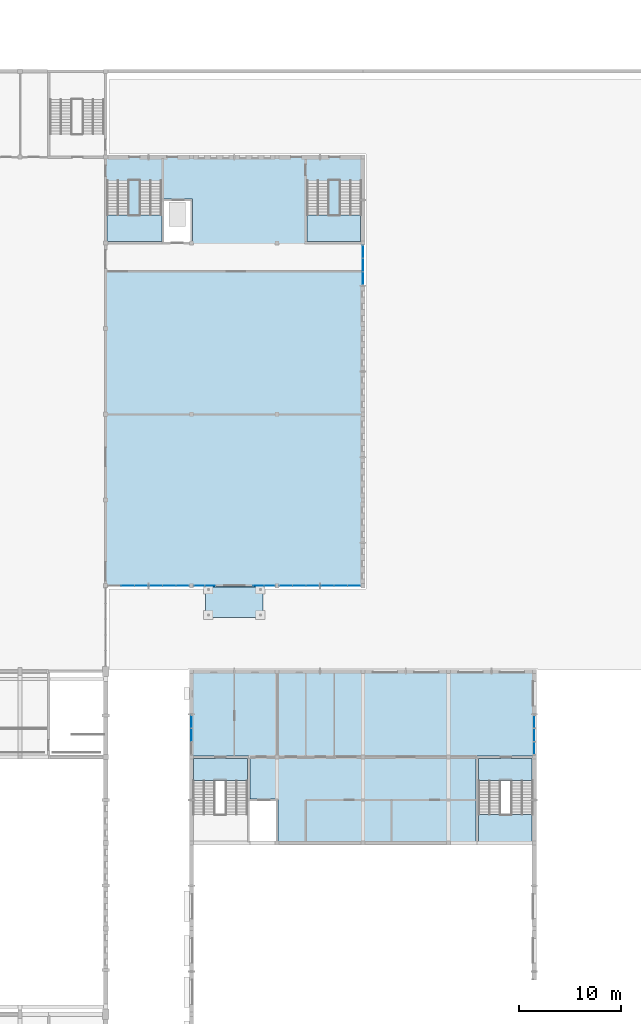
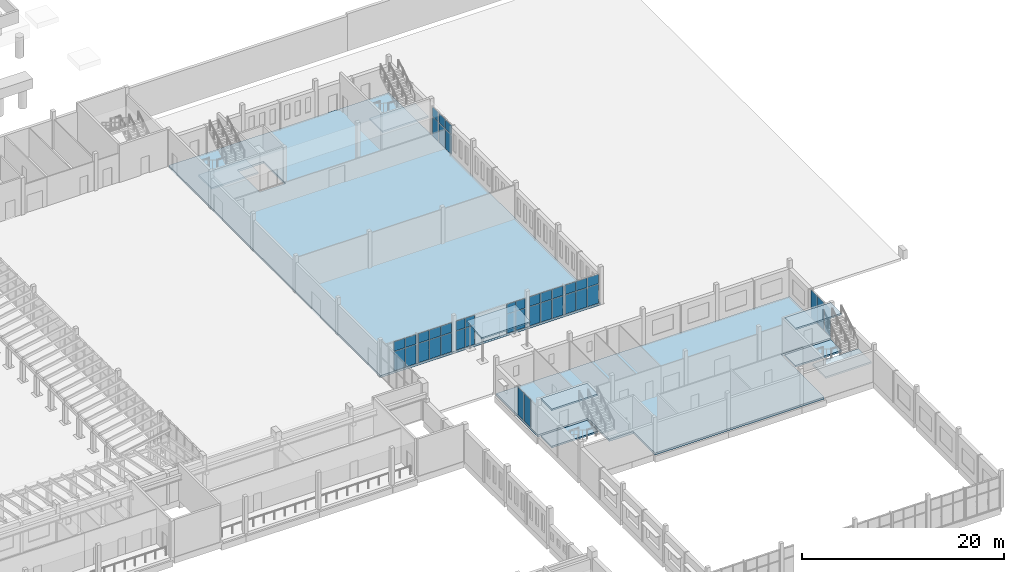
# One storey, part 31 of 60: 41 plates, 10 slabs, 13 elements without a shape of their own.
"""IFC4 building model written with IfcOpenShell, lengths in metres."""

from ifc_helpers import new_model, si_unit, direction, frame, origin, origin_2d, place, context, subcontext, project, spatial, polyline, rectangle, outline, extrude, material, layer, layer_set, type_object, element, aggregate, save


model = new_model("IFC4")

# Units and contexts
model_context = context("Model", 3, precision=1e-05, world=origin(), true_north=direction((0.0, 1.0)))
body_context = subcontext(model_context, "Body", "Model", "MODEL_VIEW")
ifc_project = project(units=[si_unit("LENGTHUNIT", "METRE"), si_unit("AREAUNIT", "SQUARE_METRE"), si_unit("VOLUMEUNIT", "CUBIC_METRE"), si_unit("PLANEANGLEUNIT", "RADIAN"), si_unit("MASSUNIT", "GRAM", prefix="KILO")], contexts=[model_context])

# Site, building, storey
site_placement = place(None, origin())
site = spatial("IfcSite", under=ifc_project, at=site_placement, CompositionType="ELEMENT")
building_placement = place(site_placement, origin())
building = spatial("IfcBuilding", under=site, at=building_placement, Name="Fescue Hill Polytechnic", CompositionType="ELEMENT")
storey_placement = place(building_placement, frame((0.0, 0.0, 4.5)))
storey = spatial("IfcBuildingStorey", under=building, at=storey_placement, Name="L01", CompositionType="ELEMENT", Elevation=4.5)

# Slabs
ifc_material_1 = material(Name="Concrete 35 MPa", Category="concrete")
ifc_layer_1 = layer(ifc_material_1, 0.25)
ifc_layer_set_1 = layer_set([ifc_layer_1], Name="Concrete 35 MPa")
slab_type_1 = type_object("IfcSlabType", Name="Base slab 250", PredefinedType="BASESLAB", material=ifc_layer_set_1)
slab_1_placement = place(storey_placement, frame((0.0, 0.0, -0.25)))
element("IfcSlab", 1, at=slab_1_placement, inside=storey, type_object=slab_type_1, Name="SL-L01-V2-1", PredefinedType="BASESLAB", context=body_context, shape_type="SweptSolid", body=[
    extrude(outline(polyline([(117.60009765625, 58.800048828125), (117.60009765625, 100.800048828125), (142.800048828125, 100.800048828125), (142.800048828125, 58.800048828125), (117.60009765625, 58.800048828125)]), holes=[polyline([(126.10009765625, 96.699951171875), (123.10009765625, 96.699951171875), (123.10009765625, 92.300048828125), (126.10009765625, 92.300048828125), (126.10009765625, 96.699951171875)])]), origin(), (0.0, 0.0, 1.0), 0.25),
])
ifc_layer_2 = layer(ifc_material_1, 0.199951171875)
ifc_layer_set_2 = layer_set([ifc_layer_2], Name="Concrete 35 MPa")
slab_type_2 = type_object("IfcSlabType", Name="Entrance canopy slab 200", PredefinedType="ROOF", material=ifc_layer_set_2)
slab_2_placement = place(storey_placement, frame((127.39990234375, 58.68994140625, 3.300048828125), z_axis=(0.0, -0.083045479854, 0.996545758245), x_axis=(1.0, 0.0, 0.0)))
element("IfcSlab", 2, at=slab_2_placement, inside=storey, type_object=slab_type_2, Name="Entrance canopy V2", PredefinedType="ROOF", context=body_context, shape_type="SweptSolid", body=[
    extrude(outline(polyline([(0.0, 0.0), (5.60009765625, 0.0), (5.60009765625, -3.010398644698074), (0.0, -3.010398644698074), (0.0, 0.0)])), origin(), (0.0, 0.0, -1.0), 0.199951171875),
])
ifc_layer_3 = layer(ifc_material_1, 0.25)
ifc_layer_set_3 = layer_set([ifc_layer_3], Name="Concrete 35 MPa")
slab_type_3 = type_object("IfcSlabType", Name="Floor slab 250", PredefinedType="FLOOR", material=ifc_layer_set_3)
slab_3_placement = place(storey_placement, frame((0.0, 0.0, -0.25)))
element("IfcSlab", 3, at=slab_3_placement, inside=storey, type_object=slab_type_3, Name="SL-L01-V3-1", PredefinedType="FLOOR", context=body_context, shape_type="SweptSolid", body=[
    extrude(outline(polyline([(159.60009765625, 50.39990234375), (159.60009765625, 42.125), (153.875, 42.125), (153.875, 33.60009765625), (134.5, 33.60009765625), (134.5, 37.89990234375), (131.72509765625, 37.89990234375), (131.72509765625, 42.125), (126.0, 42.125), (126.0, 50.39990234375), (159.60009765625, 50.39990234375)])), origin(), (0.0, 0.0, 1.0), 0.25),
])

# Curtain wall, plates
ifc_material_2 = material(Name="Glass", Category="glass")
curtain_wall_type = type_object("IfcCurtainWallType", Name="Curtain wall structural glazing", PredefinedType="NOTDEFINED", material=ifc_material_2)
curtain_wall_1_placement = place(storey_placement, origin())
curtain_wall_1 = element("IfcCurtainWall", 4, at=curtain_wall_1_placement, inside=storey, type_object=curtain_wall_type, Name="CW-L01-V2-1", PredefinedType="NOTDEFINED")
ifc_layer_4 = layer(ifc_material_2, 0.028076171875)
ifc_layer_set_4 = layer_set([ifc_layer_4], Name="Glass")
plate_type = type_object("IfcPlateType", Name="Panel glazing 28", PredefinedType="CURTAIN_PANEL", material=ifc_layer_set_4)
plate_1_placement = place(storey_placement, frame((119.77001953125, 58.800048828125, 0.06005859375), z_axis=(0.0, 0.0, 1.0), x_axis=(1.0, 0.0, 0.0)))
plate_1 = element("IfcPlate", 5, at=plate_1_placement, type_object=plate_type, Name="CW41 panel 2.1", PredefinedType="CURTAIN_PANEL", context=body_context, shape_type="SweptSolid", body=[
    extrude(rectangle(XDim=1.25341796875, YDim=0.028076171875, at=origin_2d()), origin(), (0.0, 0.0, 1.0), 2.31005859375),
])
plate_2_placement = place(storey_placement, frame((119.77001953125, 58.800048828125, 2.43017578125), z_axis=(0.0, 0.0, 1.0), x_axis=(1.0, 0.0, 0.0)))
plate_2 = element("IfcPlate", 6, at=plate_2_placement, type_object=plate_type, Name="CW41 panel 2.2", PredefinedType="CURTAIN_PANEL", context=body_context, shape_type="SweptSolid", body=[
    extrude(rectangle(XDim=1.25341796875, YDim=0.028076171875, at=origin_2d()), origin(), (0.0, 0.0, 1.0), 1.139892578125),
])
plate_3_placement = place(storey_placement, frame((121.068359375, 58.800048828125, 0.06005859375), z_axis=(0.0, 0.0, 1.0), x_axis=(1.0, 0.0, 0.0)))
plate_3 = element("IfcPlate", 7, at=plate_3_placement, type_object=plate_type, Name="CW41 panel 3.1", PredefinedType="CURTAIN_PANEL", context=body_context, shape_type="SweptSolid", body=[
    extrude(rectangle(XDim=1.223388671875, YDim=0.028076171875, at=origin_2d()), origin(), (0.0, 0.0, 1.0), 2.31005859375),
])
plate_4_placement = place(storey_placement, frame((121.068359375, 58.800048828125, 2.43017578125), z_axis=(0.0, 0.0, 1.0), x_axis=(1.0, 0.0, 0.0)))
plate_4 = element("IfcPlate", 8, at=plate_4_placement, type_object=plate_type, Name="CW41 panel 3.2", PredefinedType="CURTAIN_PANEL", context=body_context, shape_type="SweptSolid", body=[
    extrude(rectangle(XDim=1.223388671875, YDim=0.028076171875, at=origin_2d()), origin(), (0.0, 0.0, 1.0), 1.139892578125),
])
aggregate(curtain_wall_1, [plate_1, plate_2, plate_3, plate_4])

curtain_wall_2_placement = place(storey_placement, origin())
curtain_wall_2 = element("IfcCurtainWall", 9, at=curtain_wall_2_placement, inside=storey, type_object=curtain_wall_type, Name="CW-L01-V2-2", PredefinedType="NOTDEFINED")
plate_5_placement = place(storey_placement, frame((122.53173828125, 58.800048828125, 0.06005859375), z_axis=(0.0, 0.0, 1.0), x_axis=(1.0, 0.0, 0.0)))
plate_5 = element("IfcPlate", 10, at=plate_5_placement, type_object=plate_type, Name="CW42 panel 1.1", PredefinedType="CURTAIN_PANEL", context=body_context, shape_type="SweptSolid", body=[
    extrude(rectangle(XDim=1.223388671875, YDim=0.028076171875, at=origin_2d()), origin(), (0.0, 0.0, 1.0), 2.31005859375),
])
plate_6_placement = place(storey_placement, frame((122.53173828125, 58.800048828125, 2.43017578125), z_axis=(0.0, 0.0, 1.0), x_axis=(1.0, 0.0, 0.0)))
plate_6 = element("IfcPlate", 11, at=plate_6_placement, type_object=plate_type, Name="CW42 panel 1.2", PredefinedType="CURTAIN_PANEL", context=body_context, shape_type="SweptSolid", body=[
    extrude(rectangle(XDim=1.223388671875, YDim=0.028076171875, at=origin_2d()), origin(), (0.0, 0.0, 1.0), 1.139892578125),
])
plate_7_placement = place(storey_placement, frame((123.830078125, 58.800048828125, 0.06005859375), z_axis=(0.0, 0.0, 1.0), x_axis=(1.0, 0.0, 0.0)))
plate_7 = element("IfcPlate", 12, at=plate_7_placement, type_object=plate_type, Name="CW42 panel 2.1", PredefinedType="CURTAIN_PANEL", context=body_context, shape_type="SweptSolid", body=[
    extrude(rectangle(XDim=1.25341796875, YDim=0.028076171875, at=origin_2d()), origin(), (0.0, 0.0, 1.0), 2.31005859375),
])
plate_8_placement = place(storey_placement, frame((123.830078125, 58.800048828125, 2.43017578125), z_axis=(0.0, 0.0, 1.0), x_axis=(1.0, 0.0, 0.0)))
plate_8 = element("IfcPlate", 13, at=plate_8_placement, type_object=plate_type, Name="CW42 panel 2.2", PredefinedType="CURTAIN_PANEL", context=body_context, shape_type="SweptSolid", body=[
    extrude(rectangle(XDim=1.25341796875, YDim=0.028076171875, at=origin_2d()), origin(), (0.0, 0.0, 1.0), 1.139892578125),
])
plate_9_placement = place(storey_placement, frame((125.12841796875, 58.800048828125, 0.06005859375), z_axis=(0.0, 0.0, 1.0), x_axis=(1.0, 0.0, 0.0)))
plate_9 = element("IfcPlate", 14, at=plate_9_placement, type_object=plate_type, Name="CW42 panel 3.1", PredefinedType="CURTAIN_PANEL", context=body_context, shape_type="SweptSolid", body=[
    extrude(rectangle(XDim=1.223388671875, YDim=0.028076171875, at=origin_2d()), origin(), (0.0, 0.0, 1.0), 2.31005859375),
])
plate_10_placement = place(storey_placement, frame((125.12841796875, 58.800048828125, 2.43017578125), z_axis=(0.0, 0.0, 1.0), x_axis=(1.0, 0.0, 0.0)))
plate_10 = element("IfcPlate", 15, at=plate_10_placement, type_object=plate_type, Name="CW42 panel 3.2", PredefinedType="CURTAIN_PANEL", context=body_context, shape_type="SweptSolid", body=[
    extrude(rectangle(XDim=1.223388671875, YDim=0.028076171875, at=origin_2d()), origin(), (0.0, 0.0, 1.0), 1.139892578125),
])
aggregate(curtain_wall_2, [plate_5, plate_6, plate_7, plate_8, plate_9, plate_10])

curtain_wall_3_placement = place(storey_placement, origin())
curtain_wall_3 = element("IfcCurtainWall", 16, at=curtain_wall_3_placement, inside=storey, type_object=curtain_wall_type, Name="CW-L01-V2-3", PredefinedType="NOTDEFINED")
plate_11_placement = place(storey_placement, frame((126.764892578125, 58.800048828125, 0.06005859375), z_axis=(0.0, 0.0, 1.0), x_axis=(1.0, 0.0, 0.0)))
plate_11 = element("IfcPlate", 17, at=plate_11_placement, type_object=plate_type, Name="CW43 panel 1.1", PredefinedType="CURTAIN_PANEL", context=body_context, shape_type="SweptSolid", body=[
    extrude(rectangle(XDim=1.010009765625, YDim=0.028076171875, at=origin_2d()), origin(), (0.0, 0.0, 1.0), 2.31005859375),
])
plate_12_placement = place(storey_placement, frame((126.764892578125, 58.800048828125, 2.43017578125), z_axis=(0.0, 0.0, 1.0), x_axis=(1.0, 0.0, 0.0)))
plate_12 = element("IfcPlate", 18, at=plate_12_placement, type_object=plate_type, Name="CW43 panel 1.2", PredefinedType="CURTAIN_PANEL", context=body_context, shape_type="SweptSolid", body=[
    extrude(rectangle(XDim=1.010009765625, YDim=0.028076171875, at=origin_2d()), origin(), (0.0, 0.0, 1.0), 1.139892578125),
])
plate_13_placement = place(storey_placement, frame((127.8349609375, 58.800048828125, 0.06005859375), z_axis=(0.0, 0.0, 1.0), x_axis=(1.0, 0.0, 0.0)))
plate_13 = element("IfcPlate", 19, at=plate_13_placement, type_object=plate_type, Name="CW43 panel 2.1", PredefinedType="CURTAIN_PANEL", context=body_context, shape_type="SweptSolid", body=[
    extrude(rectangle(XDim=1.010009765625, YDim=0.028076171875, at=origin_2d()), origin(), (0.0, 0.0, 1.0), 2.31005859375),
])
plate_14_placement = place(storey_placement, frame((127.8349609375, 58.800048828125, 2.43017578125), z_axis=(0.0, 0.0, 1.0), x_axis=(1.0, 0.0, 0.0)))
plate_14 = element("IfcPlate", 20, at=plate_14_placement, type_object=plate_type, Name="CW43 panel 2.2", PredefinedType="CURTAIN_PANEL", context=body_context, shape_type="SweptSolid", body=[
    extrude(rectangle(XDim=1.010009765625, YDim=0.028076171875, at=origin_2d()), origin(), (0.0, 0.0, 1.0), 1.139892578125),
])
aggregate(curtain_wall_3, [plate_11, plate_12, plate_13, plate_14])

curtain_wall_4_placement = place(storey_placement, origin())
curtain_wall_4 = element("IfcCurtainWall", 21, at=curtain_wall_4_placement, inside=storey, type_object=curtain_wall_type, Name="CW-L01-V2-4", PredefinedType="NOTDEFINED")
plate_15_placement = place(storey_placement, frame((132.56494140625, 58.800048828125, 0.06005859375), z_axis=(0.0, 0.0, 1.0), x_axis=(1.0, 0.0, 0.0)))
plate_15 = element("IfcPlate", 22, at=plate_15_placement, type_object=plate_type, Name="CW44 panel 1.1", PredefinedType="CURTAIN_PANEL", context=body_context, shape_type="SweptSolid", body=[
    extrude(rectangle(XDim=1.010009765625, YDim=0.028076171875, at=origin_2d()), origin(), (0.0, 0.0, 1.0), 2.31005859375),
])
plate_16_placement = place(storey_placement, frame((132.56494140625, 58.800048828125, 2.43017578125), z_axis=(0.0, 0.0, 1.0), x_axis=(1.0, 0.0, 0.0)))
plate_16 = element("IfcPlate", 23, at=plate_16_placement, type_object=plate_type, Name="CW44 panel 1.2", PredefinedType="CURTAIN_PANEL", context=body_context, shape_type="SweptSolid", body=[
    extrude(rectangle(XDim=1.010009765625, YDim=0.028076171875, at=origin_2d()), origin(), (0.0, 0.0, 1.0), 1.139892578125),
])
plate_17_placement = place(storey_placement, frame((133.635009765625, 58.800048828125, 0.06005859375), z_axis=(0.0, 0.0, 1.0), x_axis=(1.0, 0.0, 0.0)))
plate_17 = element("IfcPlate", 24, at=plate_17_placement, type_object=plate_type, Name="CW44 panel 2.1", PredefinedType="CURTAIN_PANEL", context=body_context, shape_type="SweptSolid", body=[
    extrude(rectangle(XDim=1.010009765625, YDim=0.028076171875, at=origin_2d()), origin(), (0.0, 0.0, 1.0), 2.31005859375),
])
plate_18_placement = place(storey_placement, frame((133.635009765625, 58.800048828125, 2.43017578125), z_axis=(0.0, 0.0, 1.0), x_axis=(1.0, 0.0, 0.0)))
plate_18 = element("IfcPlate", 25, at=plate_18_placement, type_object=plate_type, Name="CW44 panel 2.2", PredefinedType="CURTAIN_PANEL", context=body_context, shape_type="SweptSolid", body=[
    extrude(rectangle(XDim=1.010009765625, YDim=0.028076171875, at=origin_2d()), origin(), (0.0, 0.0, 1.0), 1.139892578125),
])
aggregate(curtain_wall_4, [plate_15, plate_16, plate_17, plate_18])

curtain_wall_5_placement = place(storey_placement, origin())
curtain_wall_5 = element("IfcCurtainWall", 26, at=curtain_wall_5_placement, inside=storey, type_object=curtain_wall_type, Name="CW-L01-V2-5", PredefinedType="NOTDEFINED")
plate_19_placement = place(storey_placement, frame((135.271728515625, 58.800048828125, 0.06005859375), z_axis=(0.0, 0.0, 1.0), x_axis=(1.0, 0.0, 0.0)))
plate_19 = element("IfcPlate", 27, at=plate_19_placement, type_object=plate_type, Name="CW45 panel 1.1", PredefinedType="CURTAIN_PANEL", context=body_context, shape_type="SweptSolid", body=[
    extrude(rectangle(XDim=1.223388671875, YDim=0.028076171875, at=origin_2d()), origin(), (0.0, 0.0, 1.0), 2.31005859375),
])
plate_20_placement = place(storey_placement, frame((135.271728515625, 58.800048828125, 2.43017578125), z_axis=(0.0, 0.0, 1.0), x_axis=(1.0, 0.0, 0.0)))
plate_20 = element("IfcPlate", 28, at=plate_20_placement, type_object=plate_type, Name="CW45 panel 1.2", PredefinedType="CURTAIN_PANEL", context=body_context, shape_type="SweptSolid", body=[
    extrude(rectangle(XDim=1.223388671875, YDim=0.028076171875, at=origin_2d()), origin(), (0.0, 0.0, 1.0), 1.139892578125),
])
plate_21_placement = place(storey_placement, frame((136.570068359375, 58.800048828125, 0.06005859375), z_axis=(0.0, 0.0, 1.0), x_axis=(1.0, 0.0, 0.0)))
plate_21 = element("IfcPlate", 29, at=plate_21_placement, type_object=plate_type, Name="CW45 panel 2.1", PredefinedType="CURTAIN_PANEL", context=body_context, shape_type="SweptSolid", body=[
    extrude(rectangle(XDim=1.25341796875, YDim=0.028076171875, at=origin_2d()), origin(), (0.0, 0.0, 1.0), 2.31005859375),
])
plate_22_placement = place(storey_placement, frame((136.570068359375, 58.800048828125, 2.43017578125), z_axis=(0.0, 0.0, 1.0), x_axis=(1.0, 0.0, 0.0)))
plate_22 = element("IfcPlate", 30, at=plate_22_placement, type_object=plate_type, Name="CW45 panel 2.2", PredefinedType="CURTAIN_PANEL", context=body_context, shape_type="SweptSolid", body=[
    extrude(rectangle(XDim=1.25341796875, YDim=0.028076171875, at=origin_2d()), origin(), (0.0, 0.0, 1.0), 1.139892578125),
])
plate_23_placement = place(storey_placement, frame((137.868408203125, 58.800048828125, 0.06005859375), z_axis=(0.0, 0.0, 1.0), x_axis=(1.0, 0.0, 0.0)))
plate_23 = element("IfcPlate", 31, at=plate_23_placement, type_object=plate_type, Name="CW45 panel 3.1", PredefinedType="CURTAIN_PANEL", context=body_context, shape_type="SweptSolid", body=[
    extrude(rectangle(XDim=1.223388671875, YDim=0.028076171875, at=origin_2d()), origin(), (0.0, 0.0, 1.0), 2.31005859375),
])
plate_24_placement = place(storey_placement, frame((137.868408203125, 58.800048828125, 2.43017578125), z_axis=(0.0, 0.0, 1.0), x_axis=(1.0, 0.0, 0.0)))
plate_24 = element("IfcPlate", 32, at=plate_24_placement, type_object=plate_type, Name="CW45 panel 3.2", PredefinedType="CURTAIN_PANEL", context=body_context, shape_type="SweptSolid", body=[
    extrude(rectangle(XDim=1.223388671875, YDim=0.028076171875, at=origin_2d()), origin(), (0.0, 0.0, 1.0), 1.139892578125),
])
aggregate(curtain_wall_5, [plate_19, plate_20, plate_21, plate_22, plate_23, plate_24])

curtain_wall_6_placement = place(storey_placement, origin())
curtain_wall_6 = element("IfcCurtainWall", 33, at=curtain_wall_6_placement, inside=storey, type_object=curtain_wall_type, Name="CW-L01-V2-6", PredefinedType="NOTDEFINED")
plate_25_placement = place(storey_placement, frame((139.331787109375, 58.800048828125, 0.06005859375), z_axis=(0.0, 0.0, 1.0), x_axis=(1.0, 0.0, 0.0)))
plate_25 = element("IfcPlate", 34, at=plate_25_placement, type_object=plate_type, Name="CW46 panel 1.1", PredefinedType="CURTAIN_PANEL", context=body_context, shape_type="SweptSolid", body=[
    extrude(rectangle(XDim=1.223388671875, YDim=0.028076171875, at=origin_2d()), origin(), (0.0, 0.0, 1.0), 2.31005859375),
])
plate_26_placement = place(storey_placement, frame((139.331787109375, 58.800048828125, 2.43017578125), z_axis=(0.0, 0.0, 1.0), x_axis=(1.0, 0.0, 0.0)))
plate_26 = element("IfcPlate", 35, at=plate_26_placement, type_object=plate_type, Name="CW46 panel 1.2", PredefinedType="CURTAIN_PANEL", context=body_context, shape_type="SweptSolid", body=[
    extrude(rectangle(XDim=1.223388671875, YDim=0.028076171875, at=origin_2d()), origin(), (0.0, 0.0, 1.0), 1.139892578125),
])
plate_27_placement = place(storey_placement, frame((140.6298828125, 58.800048828125, 0.06005859375), z_axis=(0.0, 0.0, 1.0), x_axis=(1.0, 0.0, 0.0)))
plate_27 = element("IfcPlate", 36, at=plate_27_placement, type_object=plate_type, Name="CW46 panel 2.1", PredefinedType="CURTAIN_PANEL", context=body_context, shape_type="SweptSolid", body=[
    extrude(rectangle(XDim=1.25341796875, YDim=0.028076171875, at=origin_2d()), origin(), (0.0, 0.0, 1.0), 2.31005859375),
])
plate_28_placement = place(storey_placement, frame((140.6298828125, 58.800048828125, 2.43017578125), z_axis=(0.0, 0.0, 1.0), x_axis=(1.0, 0.0, 0.0)))
plate_28 = element("IfcPlate", 37, at=plate_28_placement, type_object=plate_type, Name="CW46 panel 2.2", PredefinedType="CURTAIN_PANEL", context=body_context, shape_type="SweptSolid", body=[
    extrude(rectangle(XDim=1.25341796875, YDim=0.028076171875, at=origin_2d()), origin(), (0.0, 0.0, 1.0), 1.139892578125),
])
plate_29_placement = place(storey_placement, frame((141.92822265625, 58.800048828125, 0.06005859375), z_axis=(0.0, 0.0, 1.0), x_axis=(1.0, 0.0, 0.0)))
plate_29 = element("IfcPlate", 38, at=plate_29_placement, type_object=plate_type, Name="CW46 panel 3.1", PredefinedType="CURTAIN_PANEL", context=body_context, shape_type="SweptSolid", body=[
    extrude(rectangle(XDim=1.223388671875, YDim=0.028076171875, at=origin_2d()), origin(), (0.0, 0.0, 1.0), 2.31005859375),
])
plate_30_placement = place(storey_placement, frame((141.92822265625, 58.800048828125, 2.43017578125), z_axis=(0.0, 0.0, 1.0), x_axis=(1.0, 0.0, 0.0)))
plate_30 = element("IfcPlate", 39, at=plate_30_placement, type_object=plate_type, Name="CW46 panel 3.2", PredefinedType="CURTAIN_PANEL", context=body_context, shape_type="SweptSolid", body=[
    extrude(rectangle(XDim=1.223388671875, YDim=0.028076171875, at=origin_2d()), origin(), (0.0, 0.0, 1.0), 1.139892578125),
])
aggregate(curtain_wall_6, [plate_25, plate_26, plate_27, plate_28, plate_29, plate_30])

curtain_wall_7_placement = place(storey_placement, origin())
curtain_wall_7 = element("IfcCurtainWall", 40, at=curtain_wall_7_placement, inside=storey, type_object=curtain_wall_type, Name="CW-L01-V3-X1", PredefinedType="NOTDEFINED")
plate_31_placement = place(storey_placement, frame((126.0, 45.46826171875, 0.06005859375), z_axis=(0.0, 0.0, 1.0), x_axis=(0.0, -1.0, 0.0)))
plate_31 = element("IfcPlate", 41, at=plate_31_placement, type_object=plate_type, Name="CW116 panel 1.1", PredefinedType="CURTAIN_PANEL", context=body_context, shape_type="SweptSolid", body=[
    extrude(rectangle(XDim=1.223388671875, YDim=0.028076171875, at=origin_2d()), origin(), (0.0, 0.0, 1.0), 3.360107421875),
])
plate_32_placement = place(storey_placement, frame((126.0, 44.169921875, 0.06005859375), z_axis=(0.0, 0.0, 1.0), x_axis=(0.0, -1.0, 0.0)))
plate_32 = element("IfcPlate", 42, at=plate_32_placement, type_object=plate_type, Name="CW116 panel 2.1", PredefinedType="CURTAIN_PANEL", context=body_context, shape_type="SweptSolid", body=[
    extrude(rectangle(XDim=1.25341796875, YDim=0.028076171875, at=origin_2d()), origin(), (0.0, 0.0, 1.0), 3.360107421875),
])
aggregate(curtain_wall_7, [plate_31, plate_32])

curtain_wall_8_placement = place(storey_placement, origin())
curtain_wall_8 = element("IfcCurtainWall", 43, at=curtain_wall_8_placement, inside=storey, type_object=curtain_wall_type, Name="CW-L01-V3-X2", PredefinedType="NOTDEFINED")
plate_33_placement = place(storey_placement, frame((159.60009765625, 42.87158203125, 0.06005859375), z_axis=(0.0, 0.0, 1.0), x_axis=(0.0, 1.0, 0.0)))
plate_33 = element("IfcPlate", 44, at=plate_33_placement, type_object=plate_type, Name="CW118 panel 1.1", PredefinedType="CURTAIN_PANEL", context=body_context, shape_type="SweptSolid", body=[
    extrude(rectangle(XDim=1.223388671875, YDim=0.028076171875, at=origin_2d()), origin(), (0.0, 0.0, 1.0), 3.360107421875),
])
plate_34_placement = place(storey_placement, frame((159.60009765625, 44.169921875, 0.06005859375), z_axis=(0.0, 0.0, 1.0), x_axis=(0.0, 1.0, 0.0)))
plate_34 = element("IfcPlate", 45, at=plate_34_placement, type_object=plate_type, Name="CW118 panel 2.1", PredefinedType="CURTAIN_PANEL", context=body_context, shape_type="SweptSolid", body=[
    extrude(rectangle(XDim=1.25341796875, YDim=0.028076171875, at=origin_2d()), origin(), (0.0, 0.0, 1.0), 3.360107421875),
])
plate_35_placement = place(storey_placement, frame((159.60009765625, 45.46826171875, 0.06005859375), z_axis=(0.0, 0.0, 1.0), x_axis=(0.0, 1.0, 0.0)))
plate_35 = element("IfcPlate", 46, at=plate_35_placement, type_object=plate_type, Name="CW118 panel 3.1", PredefinedType="CURTAIN_PANEL", context=body_context, shape_type="SweptSolid", body=[
    extrude(rectangle(XDim=1.223388671875, YDim=0.028076171875, at=origin_2d()), origin(), (0.0, 0.0, 1.0), 3.360107421875),
])
aggregate(curtain_wall_8, [plate_33, plate_34, plate_35])

curtain_wall_9_placement = place(storey_placement, origin())
curtain_wall_9 = element("IfcCurtainWall", 47, at=curtain_wall_9_placement, inside=storey, type_object=curtain_wall_type, Name="CW-L01-V2-X1", PredefinedType="NOTDEFINED")
plate_36_placement = place(storey_placement, frame((142.800048828125, 88.931640625, 0.06005859375), z_axis=(0.0, 0.0, 1.0), x_axis=(0.0, 1.0, 0.0)))
plate_36 = element("IfcPlate", 48, at=plate_36_placement, type_object=plate_type, Name="CW120 panel 1.1", PredefinedType="CURTAIN_PANEL", context=body_context, shape_type="SweptSolid", body=[
    extrude(rectangle(XDim=1.223388671875, YDim=0.028076171875, at=origin_2d()), origin(), (0.0, 0.0, 1.0), 2.31005859375),
])
plate_37_placement = place(storey_placement, frame((142.800048828125, 88.931640625, 2.43017578125), z_axis=(0.0, 0.0, 1.0), x_axis=(0.0, 1.0, 0.0)))
plate_37 = element("IfcPlate", 49, at=plate_37_placement, type_object=plate_type, Name="CW120 panel 1.2", PredefinedType="CURTAIN_PANEL", context=body_context, shape_type="SweptSolid", body=[
    extrude(rectangle(XDim=1.223388671875, YDim=0.028076171875, at=origin_2d()), origin(), (0.0, 0.0, 1.0), 1.139892578125),
])
plate_38_placement = place(storey_placement, frame((142.800048828125, 90.22998046875, 0.06005859375), z_axis=(0.0, 0.0, 1.0), x_axis=(0.0, 1.0, 0.0)))
plate_38 = element("IfcPlate", 50, at=plate_38_placement, type_object=plate_type, Name="CW120 panel 2.1", PredefinedType="CURTAIN_PANEL", context=body_context, shape_type="SweptSolid", body=[
    extrude(rectangle(XDim=1.25341796875, YDim=0.028076171875, at=origin_2d()), origin(), (0.0, 0.0, 1.0), 2.31005859375),
])
plate_39_placement = place(storey_placement, frame((142.800048828125, 90.22998046875, 2.43017578125), z_axis=(0.0, 0.0, 1.0), x_axis=(0.0, 1.0, 0.0)))
plate_39 = element("IfcPlate", 51, at=plate_39_placement, type_object=plate_type, Name="CW120 panel 2.2", PredefinedType="CURTAIN_PANEL", context=body_context, shape_type="SweptSolid", body=[
    extrude(rectangle(XDim=1.25341796875, YDim=0.028076171875, at=origin_2d()), origin(), (0.0, 0.0, 1.0), 1.139892578125),
])
plate_40_placement = place(storey_placement, frame((142.800048828125, 91.5283203125, 0.06005859375), z_axis=(0.0, 0.0, 1.0), x_axis=(0.0, 1.0, 0.0)))
plate_40 = element("IfcPlate", 52, at=plate_40_placement, type_object=plate_type, Name="CW120 panel 3.1", PredefinedType="CURTAIN_PANEL", context=body_context, shape_type="SweptSolid", body=[
    extrude(rectangle(XDim=1.223388671875, YDim=0.028076171875, at=origin_2d()), origin(), (0.0, 0.0, 1.0), 2.31005859375),
])
plate_41_placement = place(storey_placement, frame((142.800048828125, 91.5283203125, 2.43017578125), z_axis=(0.0, 0.0, 1.0), x_axis=(0.0, 1.0, 0.0)))
plate_41 = element("IfcPlate", 53, at=plate_41_placement, type_object=plate_type, Name="CW120 panel 3.2", PredefinedType="CURTAIN_PANEL", context=body_context, shape_type="SweptSolid", body=[
    extrude(rectangle(XDim=1.223388671875, YDim=0.028076171875, at=origin_2d()), origin(), (0.0, 0.0, 1.0), 1.139892578125),
])
aggregate(curtain_wall_9, [plate_36, plate_37, plate_38, plate_39, plate_40, plate_41])

# Stair, slabs
stair_type = type_object("IfcStairType", Name="Half-turn stair 2150 flights", PredefinedType="HALF_TURN_STAIR", material=ifc_material_1)
stair_1_placement = place(storey_placement, origin())
stair_1 = element("IfcStair", 54, at=stair_1_placement, inside=storey, type_object=stair_type, Name="L01 ST-V3-1 stair", PredefinedType="HALF_TURN_STAIR")
ifc_layer_5 = layer(ifc_material_1, 0.199951171875)
ifc_layer_set_5 = layer_set([ifc_layer_5], Name="Concrete 35 MPa")
slab_type_4 = type_object("IfcSlabType", Name="Stair landing slab 200", PredefinedType="LANDING", material=ifc_layer_set_5)
slab_4_placement = place(storey_placement, frame((0.0, 0.0, -0.199951171875)))
slab_4 = element("IfcSlab", 55, at=slab_4_placement, type_object=slab_type_4, Name="S11 landing 2", PredefinedType="LANDING", context=body_context, shape_type="SweptSolid", body=[
    extrude(outline(polyline([(126.2099609375, 39.72509765625), (131.47509765625, 39.72509765625), (131.47509765625, 41.875), (126.2099609375, 41.875), (126.2099609375, 39.72509765625)])), origin(), (0.0, 0.0, 1.0), 0.199951171875),
])
slab_5_placement = place(storey_placement, frame((0.0, 0.0, 4.300048828125)))
slab_5 = element("IfcSlab", 56, at=slab_5_placement, type_object=slab_type_4, Name="S11 landing 3", PredefinedType="LANDING", context=body_context, shape_type="SweptSolid", body=[
    extrude(outline(polyline([(126.2099609375, 39.72509765625), (131.47509765625, 39.72509765625), (131.47509765625, 41.875), (126.2099609375, 41.875), (126.2099609375, 39.72509765625)])), origin(), (0.0, 0.0, 1.0), 0.199951171875),
])
aggregate(stair_1, [slab_4, slab_5])

stair_2_placement = place(storey_placement, origin())
stair_2 = element("IfcStair", 57, at=stair_2_placement, inside=storey, type_object=stair_type, Name="L01 ST-V3-2 stair", PredefinedType="HALF_TURN_STAIR")
slab_6_placement = place(storey_placement, frame((0.0, 0.0, 2.050048828125)))
slab_6 = element("IfcSlab", 58, at=slab_6_placement, type_object=slab_type_4, Name="S12 landing 1", PredefinedType="LANDING", context=body_context, shape_type="SweptSolid", body=[
    extrude(outline(polyline([(154.125, 33.75), (159.389892578125, 33.75), (159.389892578125, 36.364990234375), (154.125, 36.364990234375), (154.125, 33.75)])), origin(), (0.0, 0.0, 1.0), 0.199951171875),
])
slab_7_placement = place(storey_placement, frame((0.0, 0.0, -0.199951171875)))
slab_7 = element("IfcSlab", 59, at=slab_7_placement, type_object=slab_type_4, Name="S12 landing 2", PredefinedType="LANDING", context=body_context, shape_type="SweptSolid", body=[
    extrude(outline(polyline([(154.125, 39.72509765625), (159.389892578125, 39.72509765625), (159.389892578125, 41.875), (154.125, 41.875), (154.125, 39.72509765625)])), origin(), (0.0, 0.0, 1.0), 0.199951171875),
])
slab_8_placement = place(storey_placement, frame((0.0, 0.0, 4.300048828125)))
slab_8 = element("IfcSlab", 60, at=slab_8_placement, type_object=slab_type_4, Name="S12 landing 3", PredefinedType="LANDING", context=body_context, shape_type="SweptSolid", body=[
    extrude(outline(polyline([(154.125, 39.72509765625), (159.389892578125, 39.72509765625), (159.389892578125, 41.875), (154.125, 41.875), (154.125, 39.72509765625)])), origin(), (0.0, 0.0, 1.0), 0.199951171875),
])
aggregate(stair_2, [slab_6, slab_7, slab_8])

# Stair, slab
stair_3_placement = place(storey_placement, origin())
stair_3 = element("IfcStair", 61, at=stair_3_placement, inside=storey, type_object=stair_type, Name="L01 ST-V2-1 stair", PredefinedType="HALF_TURN_STAIR")
slab_9_placement = place(storey_placement, frame((0.0, 0.0, 2.050048828125)))
slab_9 = element("IfcSlab", 62, at=slab_9_placement, type_object=slab_type_4, Name="S13 landing 1", PredefinedType="LANDING", context=body_context, shape_type="SweptSolid", body=[
    extrude(outline(polyline([(117.72509765625, 92.52490234375), (123.10009765625, 92.52490234375), (123.10009765625, 95.139892578125), (117.72509765625, 95.139892578125), (117.72509765625, 92.52490234375)])), origin(), (0.0, 0.0, 1.0), 0.199951171875),
])
aggregate(stair_3, [slab_9])

stair_4_placement = place(storey_placement, origin())
stair_4 = element("IfcStair", 63, at=stair_4_placement, inside=storey, type_object=stair_type, Name="L01 ST-V2-2 stair", PredefinedType="HALF_TURN_STAIR")
slab_10_placement = place(storey_placement, frame((0.0, 0.0, 2.050048828125)))
slab_10 = element("IfcSlab", 64, at=slab_10_placement, type_object=slab_type_4, Name="S14 landing 1", PredefinedType="LANDING", context=body_context, shape_type="SweptSolid", body=[
    extrude(outline(polyline([(137.324951171875, 92.52490234375), (142.574951171875, 92.52490234375), (142.574951171875, 95.139892578125), (137.324951171875, 95.139892578125), (137.324951171875, 92.52490234375)])), origin(), (0.0, 0.0, 1.0), 0.199951171875),
])
aggregate(stair_4, [slab_10])

save(model, "model.ifc")
